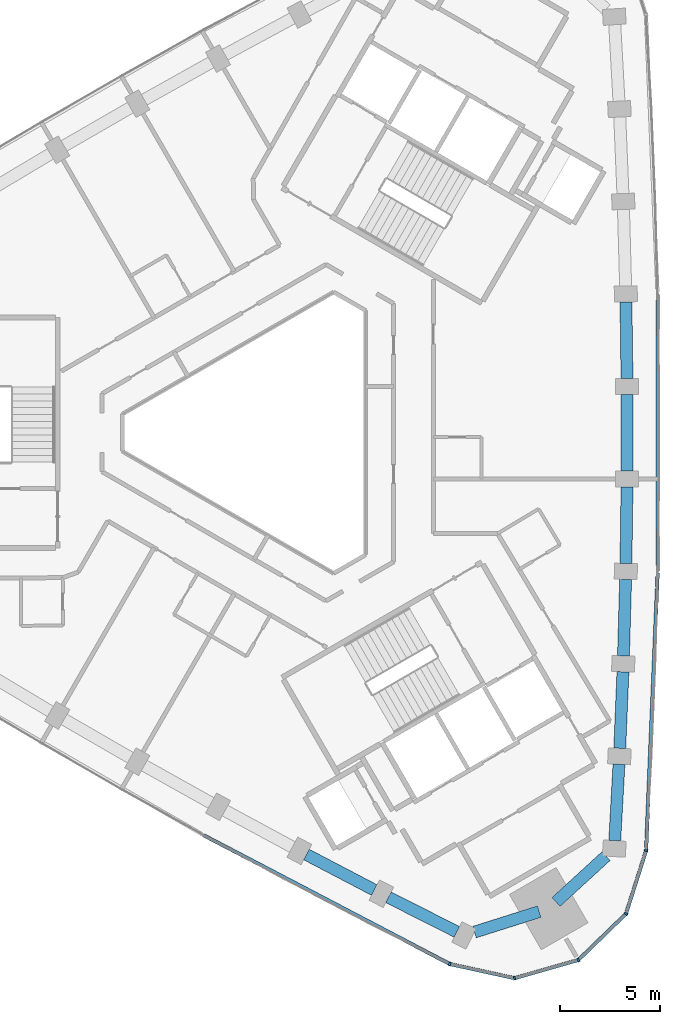
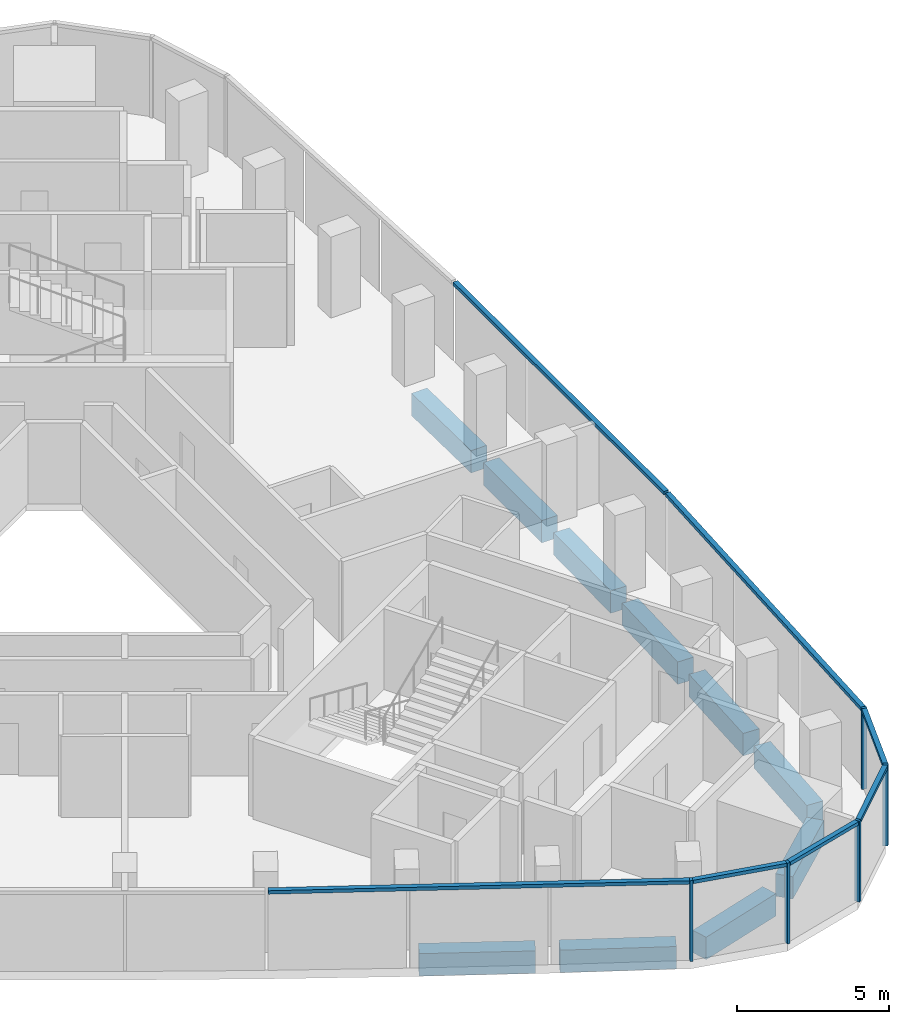
# One storey, part 3 of 12: 12 members, 10 beams, 2 elements without a shape of their own.
"""IFC4 building model written with IfcOpenShell, lengths in metres."""

from ifc_helpers import new_model, si_unit, direction, frame, origin, origin_2d, place, context, subcontext, project, spatial, rectangle, extrude, material, material_profile, profile_set, type_object, element, aggregate, save


model = new_model("IFC4")

# Units and contexts
model_context = context("Model", 3, precision=1e-05, world=origin(), true_north=direction((0.0, 1.0)))
body_context = subcontext(model_context, "Body", "Model", "MODEL_VIEW")
ifc_project = project(units=[si_unit("LENGTHUNIT", "METRE"), si_unit("AREAUNIT", "SQUARE_METRE"), si_unit("VOLUMEUNIT", "CUBIC_METRE"), si_unit("PLANEANGLEUNIT", "RADIAN"), si_unit("MASSUNIT", "GRAM", prefix="KILO")], contexts=[model_context])

# Site, building, storey
site_placement = place(None, origin())
site = spatial("IfcSite", under=ifc_project, at=site_placement, CompositionType="ELEMENT")
building_placement = place(site_placement, origin())
building = spatial("IfcBuilding", under=site, at=building_placement, Name="Tamra Quay Hotel Tower", CompositionType="ELEMENT")
storey_placement = place(building_placement, frame((0.0, 0.0, 179.199951171875)))
storey = spatial("IfcBuildingStorey", under=building, at=storey_placement, Name="L44", CompositionType="ELEMENT", Elevation=179.199951171875)

# Curtain wall, member
ifc_material_1 = material(Name="Aluminium 6063 anodised dark grey", Category="aluminium")
curtain_wall_type_1 = type_object("IfcCurtainWallType", Name="CW1 CURTAIN WALL", PredefinedType="NOTDEFINED", material=ifc_material_1)
curtain_wall_1_placement = place(storey_placement, origin())
curtain_wall_1 = element("IfcCurtainWall", 1, at=curtain_wall_1_placement, inside=storey, type_object=curtain_wall_type_1, Name="CW1 east face L44", PredefinedType="NOTDEFINED")
ifc_material_profile_1 = material_profile(ifc_material_1, rectangle(XDim=0.179931640625, YDim=0.10009765625, at=origin_2d()), Name="MULLION 100X180")
ifc_profile_set_1 = profile_set([ifc_material_profile_1], Name="Aluminium 6063 anodised dark grey")
member_type_1 = type_object("IfcMemberType", Name="MULLION CW1 Z4", PredefinedType="MULLION", material=ifc_profile_set_1)
member_1_placement = place(storey_placement, frame((18.665283203125, -20.955078125, 0.0), z_axis=(0.0, 0.0, 1.0), x_axis=(0.983509429279, -0.180856856435, 0.0)))
member_1 = element("IfcMember", 2, at=member_1_placement, type_object=member_type_1, Name="CW1 mullion L44.E.1", PredefinedType="MULLION", context=body_context, shape_type="SweptSolid", body=[
    extrude(rectangle(XDim=0.179931640625, YDim=0.10009765625, at=origin_2d()), origin(), (0.0, 0.0, 1.0), 3.25),
])

# Curtain wall, members
curtain_wall_type_2 = type_object("IfcCurtainWallType", Name="CW3 CURTAIN WALL", PredefinedType="NOTDEFINED", material=ifc_material_1)
curtain_wall_2_placement = place(storey_placement, origin())
curtain_wall_2 = element("IfcCurtainWall", 3, at=curtain_wall_2_placement, inside=storey, type_object=curtain_wall_type_2, Name="CW3 south-west face L44", PredefinedType="NOTDEFINED")
ifc_material_profile_2 = material_profile(ifc_material_1, rectangle(XDim=0.179931640625, YDim=0.10009765625, at=origin_2d()), Name="MULLION 100X180")
ifc_profile_set_2 = profile_set([ifc_material_profile_2], Name="Aluminium 6063 anodised dark grey")
member_type_2 = type_object("IfcMemberType", Name="MULLION CW3 Z4", PredefinedType="MULLION", material=ifc_profile_set_2)
member_2_placement = place(storey_placement, frame((8.81494140625, -26.642333984375, 0.0), z_axis=(0.0, 0.0, 1.0), x_axis=(-0.335128082518, -0.942172578834, 0.0)))
member_2 = element("IfcMember", 4, at=member_2_placement, type_object=member_type_2, Name="CW3 mullion L44.SW.10", PredefinedType="MULLION", context=body_context, shape_type="SweptSolid", body=[
    extrude(rectangle(XDim=0.179931640625, YDim=0.10009765625, at=origin_2d()), origin(), (0.0, 0.0, 1.0), 3.25),
])
member_3_placement = place(storey_placement, frame((12.06591796875, -27.353271484375, 0.0), z_axis=(0.0, 0.0, 1.0), x_axis=(0.030975337936, -0.999520149091, 0.0)))
member_3 = element("IfcMember", 5, at=member_3_placement, type_object=member_type_2, Name="CW3 mullion L44.SW.11", PredefinedType="MULLION", context=body_context, shape_type="SweptSolid", body=[
    extrude(rectangle(XDim=0.179931640625, YDim=0.10009765625, at=origin_2d()), origin(), (0.0, 0.0, 1.0), 3.25),
])
member_4_placement = place(storey_placement, frame((15.2666015625, -26.4423828125, 0.0), z_axis=(0.0, 0.0, 1.0), x_axis=(0.5, -0.866025403784, 0.0)))
member_4 = element("IfcMember", 6, at=member_4_placement, type_object=member_type_2, Name="CW3 mullion L44.SW.12", PredefinedType="MULLION", context=body_context, shape_type="SweptSolid", body=[
    extrude(rectangle(XDim=0.179931640625, YDim=0.10009765625, at=origin_2d()), origin(), (0.0, 0.0, 1.0), 3.25),
])
member_5_placement = place(storey_placement, frame((17.65576171875, -24.1259765625, 0.0), z_axis=(0.0, 0.0, 1.0), x_axis=(0.85012217174, -0.526585504089, 0.0)))
member_5 = element("IfcMember", 7, at=member_5_placement, type_object=member_type_2, Name="CW3 mullion L44.SW.13", PredefinedType="MULLION", context=body_context, shape_type="SweptSolid", body=[
    extrude(rectangle(XDim=0.179931640625, YDim=0.10009765625, at=origin_2d()), origin(), (0.0, 0.0, 1.0), 3.25),
])

# Beams
ifc_material_2 = material(Name="Concrete M60", Category="concrete")
ifc_material_profile_3 = material_profile(ifc_material_2, rectangle(XDim=0.60009765625, YDim=0.89990234375, at=origin_2d()), Name="SPANDREL BEAM RC 600x900")
ifc_profile_set_3 = profile_set([ifc_material_profile_3], Name="Concrete M60")
beam_type = type_object("IfcBeamType", Name="SPANDREL BEAM RC 600x900", PredefinedType="SPANDREL", material=ifc_profile_set_3)
beam_1_placement = place(storey_placement, frame((17.091796875, -20.456787109375, -0.800048828125), z_axis=(0.055346700292, 0.99846719664, 0.0), x_axis=(-0.99846719664, 0.055346700292, 0.0)))
element("IfcBeam", 8, at=beam_1_placement, inside=storey, type_object=beam_type, Name="BM-SP4-000-L44", PredefinedType="SPANDREL", context=body_context, shape_type="SweptSolid", body=[
    extrude(rectangle(XDim=0.60009765625, YDim=0.89990234375, at=origin_2d()), origin(), (0.0, 0.0, 1.0), 3.837646484375),
])
beam_2_placement = place(storey_placement, frame((17.343017578125, -15.82568359375, -0.800048828125), z_axis=(0.041609373826, 0.999133954988, 0.0), x_axis=(-0.999133954988, 0.041609373826, 0.0)))
element("IfcBeam", 9, at=beam_2_placement, inside=storey, type_object=beam_type, Name="BM-SP4-001-L44", PredefinedType="SPANDREL", context=body_context, shape_type="SweptSolid", body=[
    extrude(rectangle(XDim=0.60009765625, YDim=0.89990234375, at=origin_2d()), origin(), (0.0, 0.0, 1.0), 3.83740234375),
])
beam_3_placement = place(storey_placement, frame((17.530517578125, -11.192138671875, -0.800048828125), z_axis=(0.02773528523, 0.999615302981, 0.0), x_axis=(-0.999615302981, 0.02773528523, 0.0)))
element("IfcBeam", 10, at=beam_3_placement, inside=storey, type_object=beam_type, Name="BM-SP4-002-L44", PredefinedType="SPANDREL", context=body_context, shape_type="SweptSolid", body=[
    extrude(rectangle(XDim=0.60009765625, YDim=0.89990234375, at=origin_2d()), origin(), (0.0, 0.0, 1.0), 3.837890625),
])
for number, where, z_axis, x_axis, name in (
    (11, (17.65380859375, -6.555908203125, -0.800048828125), (0.01380539035, 0.999904701058, 0.0), (-0.999904701058, 0.01380539035, 0.0), "BM-SP4-003-L44"),
    (12, (17.71240234375, -1.918701171875, -0.800048828125), (0.0, 1.0, 0.0), (-1.0, 0.0, 0.0), "BM-SP4-004-L44"),
    (13, (17.706787109375, 2.71875, -0.800048828125), (-0.01380539035, 0.999904701058, 0.0), (-0.999904701058, -0.01380539035, 0.0), "BM-SP4-005-L44"),
    (14, (1.6337890625, -21.153564453125, -0.800048828125), (0.886043134182, -0.463602808845, 0.0), (0.463602808845, 0.886043134182, 0.0), "BM-SP4-029-L44"),
):
    element("IfcBeam", number, at=place(storey_placement, frame(where, z_axis=z_axis, x_axis=x_axis)), inside=storey, type_object=beam_type, Name=name, PredefinedType="SPANDREL", context=body_context, shape_type="SweptSolid", body=[
        extrude(rectangle(XDim=0.60009765625, YDim=0.89990234375, at=origin_2d()), origin(), (0.0, 0.0, 1.0), 3.83740234375),
    ])
beam_4_placement = place(storey_placement, frame((5.745361328125, -23.29833984375, -0.800048828125), z_axis=(0.892407883039, -0.451229620359, 0.0), x_axis=(0.451229620359, 0.892407883039, 0.0)))
element("IfcBeam", 15, at=beam_4_placement, inside=storey, type_object=beam_type, Name="BM-SP4-030-L44", PredefinedType="SPANDREL", context=body_context, shape_type="SweptSolid", body=[
    extrude(rectangle(XDim=0.60009765625, YDim=0.89990234375, at=origin_2d()), origin(), (0.0, 0.0, 1.0), 3.837646484375),
])
beam_5_placement = place(storey_placement, frame((10.057373046875, -25.043212890625, -0.800048828125), z_axis=(0.953502415748, 0.301385373174, 0.0), x_axis=(-0.301385373174, 0.953502415748, 0.0)))
element("IfcBeam", 16, at=beam_5_placement, inside=storey, type_object=beam_type, Name="BM-SP4-031-L44", PredefinedType="SPANDREL", context=body_context, shape_type="SweptSolid", body=[
    extrude(rectangle(XDim=0.60009765625, YDim=0.89990234375, at=origin_2d()), origin(), (0.0, 0.0, 1.0), 3.40380859375),
])
beam_6_placement = place(storey_placement, frame((14.14794921875, -23.52978515625, -0.800048828125), z_axis=(0.737716497183, 0.675110635218, 0.0), x_axis=(-0.675110635218, 0.737716497183, 0.0)))
element("IfcBeam", 17, at=beam_6_placement, inside=storey, type_object=beam_type, Name="BM-SP4-032-L44", PredefinedType="SPANDREL", context=body_context, shape_type="SweptSolid", body=[
    extrude(rectangle(XDim=0.60009765625, YDim=0.89990234375, at=origin_2d()), origin(), (0.0, 0.0, 1.0), 3.404296875),
])

# Member
ifc_material_profile_4 = material_profile(ifc_material_1, rectangle(XDim=0.179931640625, YDim=0.139892578125, at=origin_2d()), Name="TRANSOM 180X140")
ifc_profile_set_4 = profile_set([ifc_material_profile_4], Name="Aluminium 6063 anodised dark grey")
member_type_3 = type_object("IfcMemberType", Name="TRANSOM CW1 Z4", PredefinedType="USERDEFINED", material=ifc_profile_set_4)
member_6_placement = place(storey_placement, frame((18.668212890625, -20.9052734375, 3.179931640625), z_axis=(0.041588103727, 0.999134840564, 0.0), x_axis=(-0.999134840564, 0.041588103727, 0.0)))
member_6 = element("IfcMember", 18, at=member_6_placement, type_object=member_type_3, Name="CW1 transom L44.E.1", ObjectType="TRANSOM", PredefinedType="USERDEFINED", context=body_context, shape_type="SweptSolid", body=[
    extrude(rectangle(XDim=0.179931640625, YDim=0.139892578125, at=origin_2d()), origin(), (0.0, 0.0, 1.0), 13.877685546875),
])

member_7_placement = place(storey_placement, frame((19.24755859375, -6.939453125, 3.179931640625), z_axis=(0.0, 1.0, 0.0), x_axis=(-1.0, 0.0, 0.0)))
member_7 = element("IfcMember", 19, at=member_7_placement, type_object=member_type_3, Name="CW1 transom L44.E.4", ObjectType="TRANSOM", PredefinedType="USERDEFINED", context=body_context, shape_type="SweptSolid", body=[
    extrude(rectangle(XDim=0.179931640625, YDim=0.139892578125, at=origin_2d()), origin(), (0.0, 0.0, 1.0), 13.87890625),
])

aggregate(curtain_wall_1, [member_1, member_6, member_7])

ifc_material_profile_5 = material_profile(ifc_material_1, rectangle(XDim=0.179931640625, YDim=0.139892578125, at=origin_2d()), Name="TRANSOM 180X140")
ifc_profile_set_5 = profile_set([ifc_material_profile_5], Name="Aluminium 6063 anodised dark grey")
member_type_4 = type_object("IfcMemberType", Name="TRANSOM CW3 Z4", PredefinedType="USERDEFINED", material=ifc_profile_set_5)
member_8_placement = place(storey_placement, frame((-3.5263671875, -20.186767578125, 3.179931640625), z_axis=(0.886075202027, -0.463541515242, 0.0), x_axis=(0.463541515242, 0.886075202027, 0.0)))
member_8 = element("IfcMember", 20, at=member_8_placement, type_object=member_type_4, Name="CW3 transom L44.SW.7", ObjectType="TRANSOM", PredefinedType="USERDEFINED", context=body_context, shape_type="SweptSolid", body=[
    extrude(rectangle(XDim=0.179931640625, YDim=0.139892578125, at=origin_2d()), origin(), (0.0, 0.0, 1.0), 13.877685546875),
])

member_9_placement = place(storey_placement, frame((8.86376953125, -26.65283203125, 3.179931640625), z_axis=(0.976905938147, -0.21366981072, 0.0), x_axis=(0.21366981072, 0.976905938147, 0.0)))
member_9 = element("IfcMember", 21, at=member_9_placement, type_object=member_type_4, Name="CW3 transom L44.SW.10", ObjectType="TRANSOM", PredefinedType="USERDEFINED", context=body_context, shape_type="SweptSolid", body=[
    extrude(rectangle(XDim=0.179931640625, YDim=0.139892578125, at=origin_2d()), origin(), (0.0, 0.0, 1.0), 3.227783203125),
])

member_10_placement = place(storey_placement, frame((12.114013671875, -27.339599609375, 3.179931640625), z_axis=(0.961806009168, 0.273731987038, 0.0), x_axis=(-0.273731987038, 0.961806009168, 0.0)))
member_10 = element("IfcMember", 22, at=member_10_placement, type_object=member_type_4, Name="CW3 transom L44.SW.11", ObjectType="TRANSOM", PredefinedType="USERDEFINED", context=body_context, shape_type="SweptSolid", body=[
    extrude(rectangle(XDim=0.179931640625, YDim=0.139892578125, at=origin_2d()), origin(), (0.0, 0.0, 1.0), 3.227783203125),
])

member_11_placement = place(storey_placement, frame((15.302490234375, -26.407470703125, 3.179931640625), z_axis=(0.717989739808, 0.696053685811, 0.0), x_axis=(-0.696053685811, 0.717989739808, 0.0)))
member_11 = element("IfcMember", 23, at=member_11_placement, type_object=member_type_4, Name="CW3 transom L44.SW.12", ObjectType="TRANSOM", PredefinedType="USERDEFINED", context=body_context, shape_type="SweptSolid", body=[
    extrude(rectangle(XDim=0.179931640625, YDim=0.139892578125, at=origin_2d()), origin(), (0.0, 0.0, 1.0), 3.2275390625),
])

member_12_placement = place(storey_placement, frame((17.6708984375, -24.078369140625, 3.179931640625), z_axis=(0.303378482034, 0.952870136293, 0.0), x_axis=(-0.952870136293, 0.303378482034, 0.0)))
member_12 = element("IfcMember", 24, at=member_12_placement, type_object=member_type_4, Name="CW3 transom L44.SW.13", ObjectType="TRANSOM", PredefinedType="USERDEFINED", context=body_context, shape_type="SweptSolid", body=[
    extrude(rectangle(XDim=0.179931640625, YDim=0.139892578125, at=origin_2d()), origin(), (0.0, 0.0, 1.0), 3.227783203125),
])

aggregate(curtain_wall_2, [member_8, member_2, member_9, member_3, member_10, member_4, member_11, member_5, member_12])

save(model, "model.ifc")
